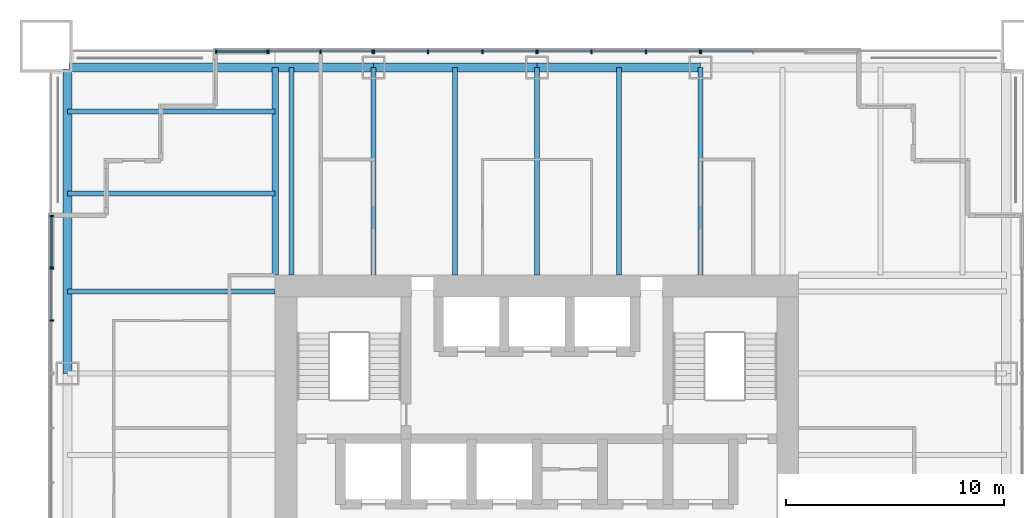
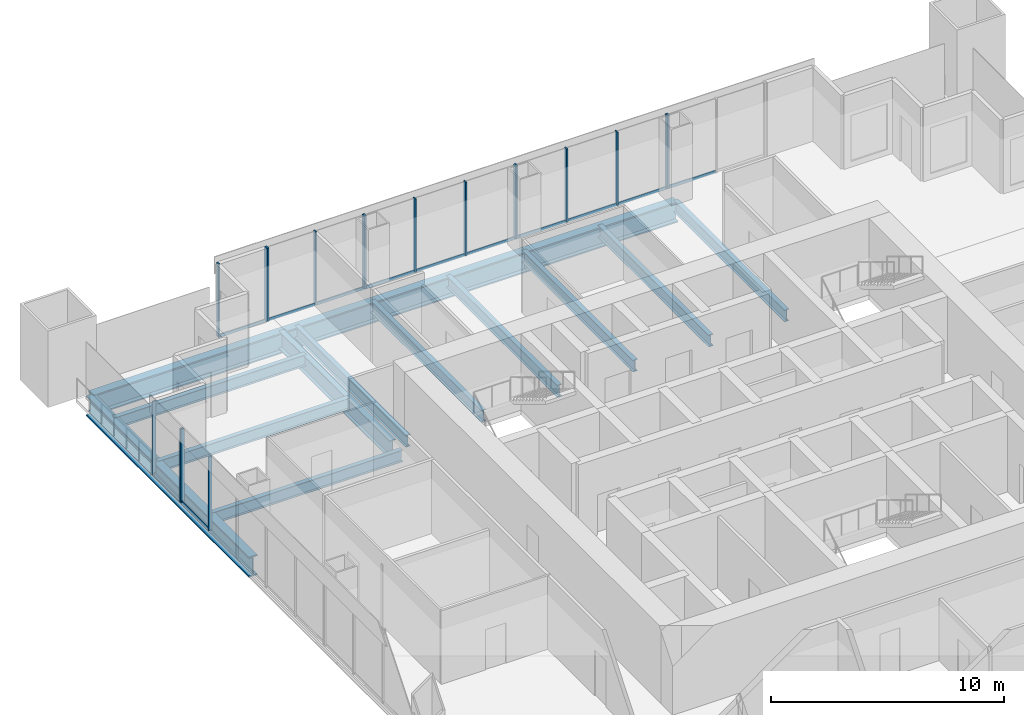
# One storey, part 5 of 13: 30 members, 14 beams, 7 elements without a shape of their own.
"""IFC4 building model written with IfcOpenShell, lengths in metres."""

from ifc_helpers import new_model, si_unit, direction, frame, origin, origin_2d, place, context, subcontext, project, spatial, rectangle, i_section, extrude, material, material_profile, profile_set, type_object, element, aggregate, save


model = new_model("IFC4")

# Units and contexts
model_context = context("Model", 3, precision=1e-05, world=origin(), true_north=direction((0.0, 1.0)))
body_context = subcontext(model_context, "Body", "Model", "MODEL_VIEW")
ifc_project = project(units=[si_unit("LENGTHUNIT", "METRE"), si_unit("AREAUNIT", "SQUARE_METRE"), si_unit("VOLUMEUNIT", "CUBIC_METRE"), si_unit("PLANEANGLEUNIT", "RADIAN"), si_unit("MASSUNIT", "GRAM", prefix="KILO")], contexts=[model_context])

# Site, building, storey
site_placement = place(None, origin())
site = spatial("IfcSite", under=ifc_project, at=site_placement, CompositionType="ELEMENT")
building_placement = place(site_placement, origin())
building = spatial("IfcBuilding", under=site, at=building_placement, Name="Tarangal Relay Tower", CompositionType="ELEMENT")
storey_placement = place(building_placement, frame((0.0, 0.0, 245.89990234375)))
storey = spatial("IfcBuildingStorey", under=building, at=storey_placement, Name="L53", CompositionType="ELEMENT", Elevation=245.89990234375)

# Beams
ifc_material_1 = material(Name="Steel ASTM A992", Category="steel")
ifc_material_profile_1 = material_profile(ifc_material_1, i_section(OverallWidth=0.227783203125, OverallDepth=0.60205078125, WebThickness=0.010498046875, FlangeThickness=0.014892578125, at=origin_2d()), Name="W24X68")
ifc_profile_set_1 = profile_set([ifc_material_profile_1], Name="Steel ASTM A992")
beam_type_1 = type_object("IfcBeamType", Name="Corner beam W24X68", PredefinedType="JOIST", material=ifc_profile_set_1)
for number, where, z_axis, x_axis, name in (
    (1, (-12.0, 15.75, -0.450927734375), (-1.0, 0.0, 0.0), (0.0, -1.0, 0.0), "Corner beam CB11 W L53"),
    (2, (-12.0, 19.5, -0.450927734375), (-1.0, 0.0, 0.0), (0.0, -1.0, 0.0), "Corner beam CB11 W L53"),
):
    element("IfcBeam", number, at=place(storey_placement, frame(where, z_axis=z_axis, x_axis=x_axis)), inside=storey, type_object=beam_type_1, Name=name, PredefinedType="JOIST", context=body_context, shape_type="SweptSolid", body=[
        extrude(i_section(OverallWidth=0.227783203125, OverallDepth=0.60205078125, WebThickness=0.010498046875, FlangeThickness=0.014892578125, at=origin_2d()), origin(), (0.0, 0.0, 1.0), 9.514892578125),
    ])
ifc_material_profile_2 = material_profile(ifc_material_1, i_section(OverallWidth=0.307373046875, OverallDepth=0.9423828125, WebThickness=0.022216796875, FlangeThickness=0.039794921875, at=origin_2d()), Name="W36X232")
ifc_profile_set_2 = profile_set([ifc_material_profile_2], Name="Steel ASTM A992")
beam_type_2 = type_object("IfcBeamType", Name="Corner girder W36X232", PredefinedType="BEAM", material=ifc_profile_set_2)
beam_1_placement = place(storey_placement, frame((-12.0, 12.0, -0.62109375), z_axis=(0.0, 1.0, 0.0), x_axis=(-1.0, 0.0, 0.0)))
element("IfcBeam", 3, at=beam_1_placement, inside=storey, type_object=beam_type_2, Name="Corner girder CG4 W L53", PredefinedType="BEAM", context=body_context, shape_type="SweptSolid", body=[
    extrude(i_section(OverallWidth=0.307373046875, OverallDepth=0.9423828125, WebThickness=0.022216796875, FlangeThickness=0.039794921875, at=origin_2d()), origin(), (0.0, 0.0, 1.0), 9.514892578125),
])
ifc_material_profile_3 = material_profile(ifc_material_1, i_section(OverallWidth=0.41650390625, OverallDepth=1.0693359375, WebThickness=0.0390625, FlangeThickness=0.070068359375, at=origin_2d()), Name="W40X503")
ifc_profile_set_3 = profile_set([ifc_material_profile_3], Name="Steel ASTM A992")
beam_type_3 = type_object("IfcBeamType", Name="Edge girder W40X503", PredefinedType="SPANDREL", material=ifc_profile_set_3)
beam_2_placement = place(storey_placement, frame((-21.449951171875, 21.514892578125, -0.6845703125), z_axis=(1.0, 0.0, 0.0), x_axis=(0.0, 1.0, 0.0)))
element("IfcBeam", 4, at=beam_2_placement, inside=storey, type_object=beam_type_3, Name="Edge girder EG8 N L53", PredefinedType="SPANDREL", context=body_context, shape_type="SweptSolid", body=[
    extrude(i_section(OverallWidth=0.41650390625, OverallDepth=1.0693359375, WebThickness=0.0390625, FlangeThickness=0.070068359375, at=origin_2d()), origin(), (0.0, 0.0, 1.0), 13.949951171875),
])
for number, where, z_axis, x_axis, name in (
    (5, (-7.5, 21.514892578125, -0.6845703125), (1.0, 0.0, 0.0), (0.0, 1.0, 0.0), "Edge girder EG8 N L53"),
    (6, (0.0, 21.514892578125, -0.6845703125), (1.0, 0.0, 0.0), (0.0, 1.0, 0.0), "Edge girder EG8 N L53"),
):
    element("IfcBeam", number, at=place(storey_placement, frame(where, z_axis=z_axis, x_axis=x_axis)), inside=storey, type_object=beam_type_3, Name=name, PredefinedType="SPANDREL", context=body_context, shape_type="SweptSolid", body=[
        extrude(i_section(OverallWidth=0.41650390625, OverallDepth=1.0693359375, WebThickness=0.0390625, FlangeThickness=0.070068359375, at=origin_2d()), origin(), (0.0, 0.0, 1.0), 7.5),
    ])
beam_3_placement = place(storey_placement, frame((-21.514892578125, 7.5, -0.6845703125), z_axis=(0.0, 1.0, 0.0), x_axis=(-1.0, 0.0, 0.0)))
element("IfcBeam", 7, at=beam_3_placement, inside=storey, type_object=beam_type_3, Name="Edge girder EG8 W L53", PredefinedType="SPANDREL", context=body_context, shape_type="SweptSolid", body=[
    extrude(i_section(OverallWidth=0.41650390625, OverallDepth=1.0693359375, WebThickness=0.0390625, FlangeThickness=0.070068359375, at=origin_2d()), origin(), (0.0, 0.0, 1.0), 13.949951171875),
])
ifc_material_profile_4 = material_profile(ifc_material_1, i_section(OverallWidth=0.22900390625, OverallDepth=0.612060546875, WebThickness=0.011962890625, FlangeThickness=0.01953125, at=origin_2d()), Name="W24X84")
ifc_profile_set_4 = profile_set([ifc_material_profile_4], Name="Steel ASTM A992")
beam_type_4 = type_object("IfcBeamType", Name="Floor beam W24X84", PredefinedType="BEAM", material=ifc_profile_set_4)
for number, where, z_axis, x_axis, name in (
    (8, (-11.25, 12.0, -0.455810546875), (0.0, 1.0, 0.0), (-1.0, 0.0, 0.0), "Floor beam RB12 N L53"),
    (9, (-7.5, 12.0, -0.455810546875), (0.0, 1.0, 0.0), (-1.0, 0.0, 0.0), "Floor beam RB12 N L53"),
    (10, (-3.75, 12.0, -0.455810546875), (0.0, 1.0, 0.0), (-1.0, 0.0, 0.0), "Floor beam RB12 N L53"),
    (11, (0.0, 12.0, -0.455810546875), (0.0, 1.0, 0.0), (-1.0, 0.0, 0.0), "Floor beam RB12 N L53"),
    (12, (3.75, 12.0, -0.455810546875), (0.0, 1.0, 0.0), (-1.0, 0.0, 0.0), "Floor beam RB12 N L53"),
    (13, (7.5, 12.0, -0.455810546875), (0.0, 1.0, 0.0), (-1.0, 0.0, 0.0), "Floor beam RB12 N L53"),
    (14, (-12.0, 11.25, -0.455810546875), (-1.0, 0.0, 0.0), (0.0, -1.0, 0.0), "Floor beam RB12 W L53"),
):
    element("IfcBeam", number, at=place(storey_placement, frame(where, z_axis=z_axis, x_axis=x_axis)), inside=storey, type_object=beam_type_4, Name=name, PredefinedType="BEAM", context=body_context, shape_type="SweptSolid", body=[
        extrude(i_section(OverallWidth=0.22900390625, OverallDepth=0.612060546875, WebThickness=0.011962890625, FlangeThickness=0.01953125, at=origin_2d()), origin(), (0.0, 0.0, 1.0), 9.514892578125),
    ])

# Curtain wall, members
ifc_material_2 = material(Name="Unitised curtain wall, dark glass and black aluminium", Category="aluminium")
curtain_wall_type_1 = type_object("IfcCurtainWallType", Name="Curtain wall CW-A", PredefinedType="USERDEFINED", material=ifc_material_2)
curtain_wall_1_placement = place(storey_placement, origin())
curtain_wall_1 = element("IfcCurtainWall", 15, at=curtain_wall_1_placement, inside=storey, type_object=curtain_wall_type_1, Name="Curtain wall CW-A N facade L53", ObjectType="UNITISED CURTAIN WALL", PredefinedType="USERDEFINED")
ifc_material_3 = material(Name="Black anodised aluminium mullion", Category="aluminium")
ifc_material_profile_5 = material_profile(ifc_material_3, rectangle(XDim=0.175048828125, YDim=0.06494140625, at=origin_2d()), Name="CW-AM 65X175")
ifc_profile_set_5 = profile_set([ifc_material_profile_5], Name="Black anodised aluminium mullion")
member_type_1 = type_object("IfcMemberType", Name="Mullion CW-A 65 x 175", PredefinedType="MULLION", material=ifc_profile_set_5)
member_1_placement = place(storey_placement, frame((-12.30078125, 22.25, 0.0), z_axis=(0.0, 0.0, 1.0), x_axis=(0.0, 1.0, 0.0)))
member_1 = element("IfcMember", 16, at=member_1_placement, type_object=member_type_1, Name="CW-A mullion 1", PredefinedType="MULLION", context=body_context, shape_type="SweptSolid", body=[
    extrude(rectangle(XDim=0.175048828125, YDim=0.06494140625, at=origin_2d()), origin(), (0.0, 0.0, 1.0), 3.85009765625),
])
member_2_placement = place(storey_placement, frame((-9.916748046875, 22.25, 0.0), z_axis=(0.0, 0.0, 1.0), x_axis=(0.0, 1.0, 0.0)))
member_2 = element("IfcMember", 17, at=member_2_placement, type_object=member_type_1, Name="CW-A mullion 2", PredefinedType="MULLION", context=body_context, shape_type="SweptSolid", body=[
    extrude(rectangle(XDim=0.175048828125, YDim=0.06494140625, at=origin_2d()), origin(), (0.0, 0.0, 1.0), 3.85009765625),
])
member_3_placement = place(storey_placement, frame((-7.532470703125, 22.25, 0.0), z_axis=(0.0, 0.0, 1.0), x_axis=(0.0, 1.0, 0.0)))
member_3 = element("IfcMember", 18, at=member_3_placement, type_object=member_type_1, Name="CW-A mullion 3", PredefinedType="MULLION", context=body_context, shape_type="SweptSolid", body=[
    extrude(rectangle(XDim=0.175048828125, YDim=0.06494140625, at=origin_2d()), origin(), (0.0, 0.0, 1.0), 3.85009765625),
])

curtain_wall_2_placement = place(storey_placement, origin())
curtain_wall_2 = element("IfcCurtainWall", 19, at=curtain_wall_2_placement, inside=storey, type_object=curtain_wall_type_1, Name="Curtain wall CW-A N facade L53", ObjectType="UNITISED CURTAIN WALL", PredefinedType="USERDEFINED")
member_4_placement = place(storey_placement, frame((-7.467529296875, 22.25, 0.0), z_axis=(0.0, 0.0, 1.0), x_axis=(0.0, 1.0, 0.0)))
member_4 = element("IfcMember", 20, at=member_4_placement, type_object=member_type_1, Name="CW-A mullion 1", PredefinedType="MULLION", context=body_context, shape_type="SweptSolid", body=[
    extrude(rectangle(XDim=0.175048828125, YDim=0.06494140625, at=origin_2d()), origin(), (0.0, 0.0, 1.0), 3.85009765625),
])
member_5_placement = place(storey_placement, frame((-5.0, 22.25, 0.0), z_axis=(0.0, 0.0, 1.0), x_axis=(0.0, 1.0, 0.0)))
member_5 = element("IfcMember", 21, at=member_5_placement, type_object=member_type_1, Name="CW-A mullion 2", PredefinedType="MULLION", context=body_context, shape_type="SweptSolid", body=[
    extrude(rectangle(XDim=0.175048828125, YDim=0.06494140625, at=origin_2d()), origin(), (0.0, 0.0, 1.0), 3.85009765625),
])
member_6_placement = place(storey_placement, frame((-2.5, 22.25, 0.0), z_axis=(0.0, 0.0, 1.0), x_axis=(0.0, 1.0, 0.0)))
member_6 = element("IfcMember", 22, at=member_6_placement, type_object=member_type_1, Name="CW-A mullion 3", PredefinedType="MULLION", context=body_context, shape_type="SweptSolid", body=[
    extrude(rectangle(XDim=0.175048828125, YDim=0.06494140625, at=origin_2d()), origin(), (0.0, 0.0, 1.0), 3.85009765625),
])
member_7_placement = place(storey_placement, frame((-0.032470703125, 22.25, 0.0), z_axis=(0.0, 0.0, 1.0), x_axis=(0.0, 1.0, 0.0)))
member_7 = element("IfcMember", 23, at=member_7_placement, type_object=member_type_1, Name="CW-A mullion 4", PredefinedType="MULLION", context=body_context, shape_type="SweptSolid", body=[
    extrude(rectangle(XDim=0.175048828125, YDim=0.06494140625, at=origin_2d()), origin(), (0.0, 0.0, 1.0), 3.85009765625),
])

curtain_wall_3_placement = place(storey_placement, origin())
curtain_wall_3 = element("IfcCurtainWall", 24, at=curtain_wall_3_placement, inside=storey, type_object=curtain_wall_type_1, Name="Curtain wall CW-A N facade L53", ObjectType="UNITISED CURTAIN WALL", PredefinedType="USERDEFINED")
member_8_placement = place(storey_placement, frame((0.032470703125, 22.25, 0.0), z_axis=(0.0, 0.0, 1.0), x_axis=(0.0, 1.0, 0.0)))
member_8 = element("IfcMember", 25, at=member_8_placement, type_object=member_type_1, Name="CW-A mullion 1", PredefinedType="MULLION", context=body_context, shape_type="SweptSolid", body=[
    extrude(rectangle(XDim=0.175048828125, YDim=0.06494140625, at=origin_2d()), origin(), (0.0, 0.0, 1.0), 3.85009765625),
])
member_9_placement = place(storey_placement, frame((2.5, 22.25, 0.0), z_axis=(0.0, 0.0, 1.0), x_axis=(0.0, 1.0, 0.0)))
member_9 = element("IfcMember", 26, at=member_9_placement, type_object=member_type_1, Name="CW-A mullion 2", PredefinedType="MULLION", context=body_context, shape_type="SweptSolid", body=[
    extrude(rectangle(XDim=0.175048828125, YDim=0.06494140625, at=origin_2d()), origin(), (0.0, 0.0, 1.0), 3.85009765625),
])
member_10_placement = place(storey_placement, frame((5.0, 22.25, 0.0), z_axis=(0.0, 0.0, 1.0), x_axis=(0.0, 1.0, 0.0)))
member_10 = element("IfcMember", 27, at=member_10_placement, type_object=member_type_1, Name="CW-A mullion 3", PredefinedType="MULLION", context=body_context, shape_type="SweptSolid", body=[
    extrude(rectangle(XDim=0.175048828125, YDim=0.06494140625, at=origin_2d()), origin(), (0.0, 0.0, 1.0), 3.85009765625),
])
member_11_placement = place(storey_placement, frame((7.467529296875, 22.25, 0.0), z_axis=(0.0, 0.0, 1.0), x_axis=(0.0, 1.0, 0.0)))
member_11 = element("IfcMember", 28, at=member_11_placement, type_object=member_type_1, Name="CW-A mullion 4", PredefinedType="MULLION", context=body_context, shape_type="SweptSolid", body=[
    extrude(rectangle(XDim=0.175048828125, YDim=0.06494140625, at=origin_2d()), origin(), (0.0, 0.0, 1.0), 3.85009765625),
])

# Curtain wall, member
curtain_wall_4_placement = place(storey_placement, origin())
curtain_wall_4 = element("IfcCurtainWall", 29, at=curtain_wall_4_placement, inside=storey, type_object=curtain_wall_type_1, Name="Curtain wall CW-A N facade L53", ObjectType="UNITISED CURTAIN WALL", PredefinedType="USERDEFINED")
member_12_placement = place(storey_placement, frame((7.532470703125, 22.25, 0.0), z_axis=(0.0, 0.0, 1.0), x_axis=(0.0, 1.0, 0.0)))
member_12 = element("IfcMember", 30, at=member_12_placement, type_object=member_type_1, Name="CW-A mullion 1", PredefinedType="MULLION", context=body_context, shape_type="SweptSolid", body=[
    extrude(rectangle(XDim=0.175048828125, YDim=0.06494140625, at=origin_2d()), origin(), (0.0, 0.0, 1.0), 3.85009765625),
])

# Curtain wall, members
curtain_wall_5_placement = place(storey_placement, origin())
curtain_wall_5 = element("IfcCurtainWall", 31, at=curtain_wall_5_placement, inside=storey, type_object=curtain_wall_type_1, Name="Curtain wall CW-A W facade L53", ObjectType="UNITISED CURTAIN WALL", PredefinedType="USERDEFINED")
member_13_placement = place(storey_placement, frame((-22.25, 9.916748046875, 0.0), z_axis=(0.0, 0.0, 1.0), x_axis=(-1.0, 0.0, 0.0)))
member_13 = element("IfcMember", 32, at=member_13_placement, type_object=member_type_1, Name="CW-A mullion 2", PredefinedType="MULLION", context=body_context, shape_type="SweptSolid", body=[
    extrude(rectangle(XDim=0.175048828125, YDim=0.06494140625, at=origin_2d()), origin(), (0.0, 0.0, 1.0), 3.85009765625),
])
member_14_placement = place(storey_placement, frame((-22.25, 12.30078125, 0.0), z_axis=(0.0, 0.0, 1.0), x_axis=(-1.0, 0.0, 0.0)))
member_14 = element("IfcMember", 33, at=member_14_placement, type_object=member_type_1, Name="CW-A mullion 3", PredefinedType="MULLION", context=body_context, shape_type="SweptSolid", body=[
    extrude(rectangle(XDim=0.175048828125, YDim=0.06494140625, at=origin_2d()), origin(), (0.0, 0.0, 1.0), 3.85009765625),
])

ifc_material_4 = material(Name="Unitised curtain wall frame, black aluminium, with metal clad infill walls", Category="aluminium")
curtain_wall_type_2 = type_object("IfcCurtainWallType", Name="Curtain wall CW-AO", PredefinedType="USERDEFINED", material=ifc_material_4)
curtain_wall_6_placement = place(storey_placement, origin())
curtain_wall_6 = element("IfcCurtainWall", 34, at=curtain_wall_6_placement, inside=storey, type_object=curtain_wall_type_2, Name="Curtain wall CW-AO N facade L53", ObjectType="UNITISED CURTAIN WALL", PredefinedType="USERDEFINED")
ifc_material_profile_6 = material_profile(ifc_material_3, rectangle(XDim=0.175048828125, YDim=0.06494140625, at=origin_2d()), Name="CW-AOM 65X175")
ifc_profile_set_6 = profile_set([ifc_material_profile_6], Name="Black anodised aluminium mullion")
member_type_2 = type_object("IfcMemberType", Name="Mullion CW-AO 65 x 175", PredefinedType="MULLION", material=ifc_profile_set_6)
member_15_placement = place(storey_placement, frame((-14.717529296875, 22.25, 0.0), z_axis=(0.0, 0.0, 1.0), x_axis=(0.0, 1.0, 0.0)))
member_15 = element("IfcMember", 35, at=member_15_placement, type_object=member_type_2, Name="CW-AO mullion 1", PredefinedType="MULLION", context=body_context, shape_type="SweptSolid", body=[
    extrude(rectangle(XDim=0.175048828125, YDim=0.06494140625, at=origin_2d()), origin(), (0.0, 0.0, 1.0), 3.85009765625),
])
member_16_placement = place(storey_placement, frame((-12.36572265625, 22.25, 0.0), z_axis=(0.0, 0.0, 1.0), x_axis=(0.0, 1.0, 0.0)))
member_16 = element("IfcMember", 36, at=member_16_placement, type_object=member_type_2, Name="CW-AO mullion 2", PredefinedType="MULLION", context=body_context, shape_type="SweptSolid", body=[
    extrude(rectangle(XDim=0.175048828125, YDim=0.06494140625, at=origin_2d()), origin(), (0.0, 0.0, 1.0), 3.85009765625),
])

curtain_wall_7_placement = place(storey_placement, origin())
curtain_wall_7 = element("IfcCurtainWall", 37, at=curtain_wall_7_placement, inside=storey, type_object=curtain_wall_type_2, Name="Curtain wall CW-AO W facade L53", ObjectType="UNITISED CURTAIN WALL", PredefinedType="USERDEFINED")
member_17_placement = place(storey_placement, frame((-22.25, 12.36572265625, 0.0), z_axis=(0.0, 0.0, 1.0), x_axis=(-1.0, 0.0, 0.0)))
member_17 = element("IfcMember", 38, at=member_17_placement, type_object=member_type_2, Name="CW-AO mullion 1", PredefinedType="MULLION", context=body_context, shape_type="SweptSolid", body=[
    extrude(rectangle(XDim=0.175048828125, YDim=0.06494140625, at=origin_2d()), origin(), (0.0, 0.0, 1.0), 3.85009765625),
])
member_18_placement = place(storey_placement, frame((-22.25, 14.717529296875, 0.0), z_axis=(0.0, 0.0, 1.0), x_axis=(-1.0, 0.0, 0.0)))
member_18 = element("IfcMember", 39, at=member_18_placement, type_object=member_type_2, Name="CW-AO mullion 2", PredefinedType="MULLION", context=body_context, shape_type="SweptSolid", body=[
    extrude(rectangle(XDim=0.175048828125, YDim=0.06494140625, at=origin_2d()), origin(), (0.0, 0.0, 1.0), 3.85009765625),
])

# Member
ifc_material_5 = material(Name="Black anodised aluminium transom", Category="aluminium")
ifc_material_profile_7 = material_profile(ifc_material_5, rectangle(XDim=0.06494140625, YDim=0.14990234375, at=origin_2d()), Name="CW-AT 65X150")
ifc_profile_set_7 = profile_set([ifc_material_profile_7], Name="Black anodised aluminium transom")
member_type_3 = type_object("IfcMemberType", Name="Transom CW-A 65 x 150", PredefinedType="USERDEFINED", material=ifc_profile_set_7)
member_19_placement = place(storey_placement, frame((-12.268310546875, 22.25, 0.03271484375), z_axis=(1.0, 0.0, 0.0), x_axis=(0.0, 1.0, 0.0)))
member_19 = element("IfcMember", 40, at=member_19_placement, type_object=member_type_3, Name="CW-A transom 1.1", ObjectType="TRANSOM", PredefinedType="USERDEFINED", context=body_context, shape_type="SweptSolid", body=[
    extrude(rectangle(XDim=0.06494140625, YDim=0.14990234375, at=origin_2d()), origin(), (0.0, 0.0, 1.0), 2.319091796875),
])

member_20_placement = place(storey_placement, frame((-9.884033203125, 22.25, 0.03271484375), z_axis=(1.0, 0.0, 0.0), x_axis=(0.0, 1.0, 0.0)))
member_20 = element("IfcMember", 41, at=member_20_placement, type_object=member_type_3, Name="CW-A transom 2.1", ObjectType="TRANSOM", PredefinedType="USERDEFINED", context=body_context, shape_type="SweptSolid", body=[
    extrude(rectangle(XDim=0.06494140625, YDim=0.14990234375, at=origin_2d()), origin(), (0.0, 0.0, 1.0), 2.319091796875),
])

aggregate(curtain_wall_1, [member_1, member_2, member_3, member_19, member_20])

member_21_placement = place(storey_placement, frame((-7.43505859375, 22.25, 0.03271484375), z_axis=(1.0, 0.0, 0.0), x_axis=(0.0, 1.0, 0.0)))
member_21 = element("IfcMember", 42, at=member_21_placement, type_object=member_type_3, Name="CW-A transom 1.1", ObjectType="TRANSOM", PredefinedType="USERDEFINED", context=body_context, shape_type="SweptSolid", body=[
    extrude(rectangle(XDim=0.06494140625, YDim=0.14990234375, at=origin_2d()), origin(), (0.0, 0.0, 1.0), 2.402587890625),
])

member_22_placement = place(storey_placement, frame((-4.967529296875, 22.25, 0.03271484375), z_axis=(1.0, 0.0, 0.0), x_axis=(0.0, 1.0, 0.0)))
member_22 = element("IfcMember", 43, at=member_22_placement, type_object=member_type_3, Name="CW-A transom 2.1", ObjectType="TRANSOM", PredefinedType="USERDEFINED", context=body_context, shape_type="SweptSolid", body=[
    extrude(rectangle(XDim=0.06494140625, YDim=0.14990234375, at=origin_2d()), origin(), (0.0, 0.0, 1.0), 2.43505859375),
])

member_23_placement = place(storey_placement, frame((-2.467529296875, 22.25, 0.03271484375), z_axis=(1.0, 0.0, 0.0), x_axis=(0.0, 1.0, 0.0)))
member_23 = element("IfcMember", 44, at=member_23_placement, type_object=member_type_3, Name="CW-A transom 3.1", ObjectType="TRANSOM", PredefinedType="USERDEFINED", context=body_context, shape_type="SweptSolid", body=[
    extrude(rectangle(XDim=0.06494140625, YDim=0.14990234375, at=origin_2d()), origin(), (0.0, 0.0, 1.0), 2.402587890625),
])

aggregate(curtain_wall_2, [member_4, member_5, member_6, member_7, member_21, member_22, member_23])

member_24_placement = place(storey_placement, frame((0.06494140625, 22.25, 0.03271484375), z_axis=(1.0, 0.0, 0.0), x_axis=(0.0, 1.0, 0.0)))
member_24 = element("IfcMember", 45, at=member_24_placement, type_object=member_type_3, Name="CW-A transom 1.1", ObjectType="TRANSOM", PredefinedType="USERDEFINED", context=body_context, shape_type="SweptSolid", body=[
    extrude(rectangle(XDim=0.06494140625, YDim=0.14990234375, at=origin_2d()), origin(), (0.0, 0.0, 1.0), 2.402587890625),
])

member_25_placement = place(storey_placement, frame((2.532470703125, 22.25, 0.03271484375), z_axis=(1.0, 0.0, 0.0), x_axis=(0.0, 1.0, 0.0)))
member_25 = element("IfcMember", 46, at=member_25_placement, type_object=member_type_3, Name="CW-A transom 2.1", ObjectType="TRANSOM", PredefinedType="USERDEFINED", context=body_context, shape_type="SweptSolid", body=[
    extrude(rectangle(XDim=0.06494140625, YDim=0.14990234375, at=origin_2d()), origin(), (0.0, 0.0, 1.0), 2.43505859375),
])

member_26_placement = place(storey_placement, frame((5.032470703125, 22.25, 0.03271484375), z_axis=(1.0, 0.0, 0.0), x_axis=(0.0, 1.0, 0.0)))
member_26 = element("IfcMember", 47, at=member_26_placement, type_object=member_type_3, Name="CW-A transom 3.1", ObjectType="TRANSOM", PredefinedType="USERDEFINED", context=body_context, shape_type="SweptSolid", body=[
    extrude(rectangle(XDim=0.06494140625, YDim=0.14990234375, at=origin_2d()), origin(), (0.0, 0.0, 1.0), 2.402587890625),
])

aggregate(curtain_wall_3, [member_8, member_9, member_10, member_11, member_24, member_25, member_26])

member_27_placement = place(storey_placement, frame((7.56494140625, 22.25, 0.03271484375), z_axis=(1.0, 0.0, 0.0), x_axis=(0.0, 1.0, 0.0)))
member_27 = element("IfcMember", 48, at=member_27_placement, type_object=member_type_3, Name="CW-A transom 1.1", ObjectType="TRANSOM", PredefinedType="USERDEFINED", context=body_context, shape_type="SweptSolid", body=[
    extrude(rectangle(XDim=0.06494140625, YDim=0.14990234375, at=origin_2d()), origin(), (0.0, 0.0, 1.0), 2.319091796875),
])

aggregate(curtain_wall_4, [member_12, member_27])

member_28_placement = place(storey_placement, frame((-22.25, 9.94921875, 0.03271484375), z_axis=(0.0, 1.0, 0.0), x_axis=(-1.0, 0.0, 0.0)))
member_28 = element("IfcMember", 49, at=member_28_placement, type_object=member_type_3, Name="CW-A transom 2.1", ObjectType="TRANSOM", PredefinedType="USERDEFINED", context=body_context, shape_type="SweptSolid", body=[
    extrude(rectangle(XDim=0.06494140625, YDim=0.14990234375, at=origin_2d()), origin(), (0.0, 0.0, 1.0), 2.319091796875),
])

aggregate(curtain_wall_5, [member_13, member_14, member_28])

ifc_material_profile_8 = material_profile(ifc_material_5, rectangle(XDim=0.06494140625, YDim=0.14990234375, at=origin_2d()), Name="CW-AOT 65X150")
ifc_profile_set_8 = profile_set([ifc_material_profile_8], Name="Black anodised aluminium transom")
member_type_4 = type_object("IfcMemberType", Name="Transom CW-AO 65 x 150", PredefinedType="USERDEFINED", material=ifc_profile_set_8)
member_29_placement = place(storey_placement, frame((-14.68505859375, 22.25, 0.03271484375), z_axis=(1.0, 0.0, 0.0), x_axis=(0.0, 1.0, 0.0)))
member_29 = element("IfcMember", 50, at=member_29_placement, type_object=member_type_4, Name="CW-AO transom 1.1", ObjectType="TRANSOM", PredefinedType="USERDEFINED", context=body_context, shape_type="SweptSolid", body=[
    extrude(rectangle(XDim=0.06494140625, YDim=0.14990234375, at=origin_2d()), origin(), (0.0, 0.0, 1.0), 2.286865234375),
])

aggregate(curtain_wall_6, [member_15, member_16, member_29])

member_30_placement = place(storey_placement, frame((-22.25, 12.398193359375, 0.03271484375), z_axis=(0.0, 1.0, 0.0), x_axis=(-1.0, 0.0, 0.0)))
member_30 = element("IfcMember", 51, at=member_30_placement, type_object=member_type_4, Name="CW-AO transom 1.1", ObjectType="TRANSOM", PredefinedType="USERDEFINED", context=body_context, shape_type="SweptSolid", body=[
    extrude(rectangle(XDim=0.06494140625, YDim=0.14990234375, at=origin_2d()), origin(), (0.0, 0.0, 1.0), 2.286865234375),
])

aggregate(curtain_wall_7, [member_17, member_18, member_30])

save(model, "model.ifc")
